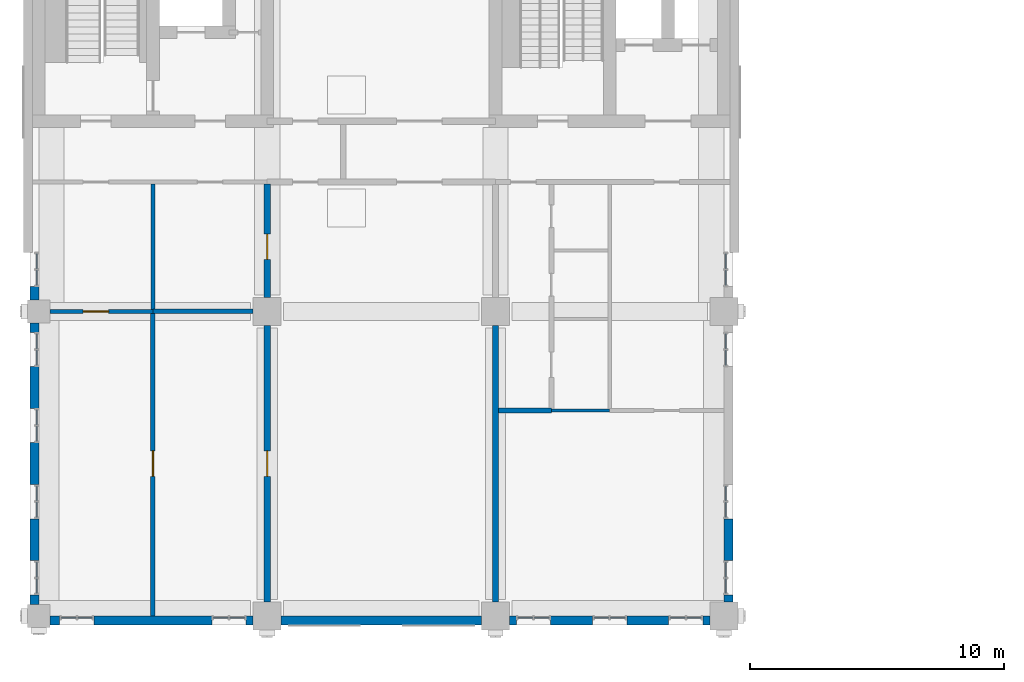
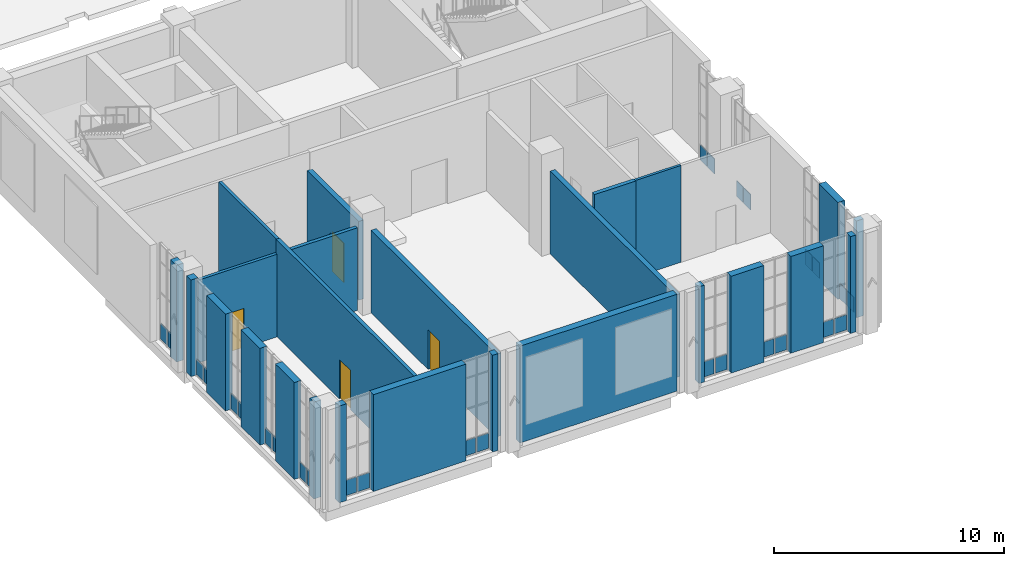
# One storey, part 18 of 33: 28 plates, 25 walls, 4 doors, 4 openings, 14 elements without a shape of their own.
"""IFC4 building model written with IfcOpenShell, lengths in metres."""

from ifc_helpers import new_model, si_unit, direction, frame, frame_2d, origin, origin_2d, place, context, subcontext, project, spatial, rectangle, extrude, material, layer, layer_set, type_object, element, fill, aggregate, save


model = new_model("IFC4")

# Units and contexts
model_context = context("Model", 3, precision=1e-05, world=origin(), true_north=direction((0.0, 1.0)))
body_context = subcontext(model_context, "Body", "Model", "MODEL_VIEW")
ifc_project = project(units=[si_unit("LENGTHUNIT", "METRE"), si_unit("AREAUNIT", "SQUARE_METRE"), si_unit("VOLUMEUNIT", "CUBIC_METRE"), si_unit("PLANEANGLEUNIT", "RADIAN"), si_unit("MASSUNIT", "GRAM", prefix="KILO")], contexts=[model_context])

# Site, building, storey
site_placement = place(None, origin())
site = spatial("IfcSite", under=ifc_project, at=site_placement, CompositionType="ELEMENT")
building_placement = place(site_placement, origin())
building = spatial("IfcBuilding", under=site, at=building_placement, Name="Aurelan Courthouse", CompositionType="ELEMENT")
storey_placement = place(building_placement, frame((0.0, 0.0, 22.800048828125)))
storey = spatial("IfcBuildingStorey", under=building, at=storey_placement, Name="L04", CompositionType="ELEMENT", Elevation=22.800048828125)

# Curtain wall, plates
ifc_material_1 = material(Name="Bronze-finished aluminium and glass", Category="aluminium")
ifc_layer_1 = layer(ifc_material_1, 0.14990234375)
ifc_layer_set_1 = layer_set([ifc_layer_1], Name="Bronze-finished aluminium and glass")
curtain_wall_type = type_object("IfcCurtainWallType", Name="Curtain wall 1350 x 5150", PredefinedType="NOTDEFINED", material=ifc_layer_set_1)
curtain_wall_1_placement = place(storey_placement, origin())
curtain_wall_1 = element("IfcCurtainWall", 1, at=curtain_wall_1_placement, inside=storey, type_object=curtain_wall_type, Name="Curtain wall CW-V5-L04-S01", PredefinedType="NOTDEFINED")
ifc_material_2 = material(Name="Bronze-finished aluminium", Category="aluminium")
ifc_layer_2 = layer(ifc_material_2, 0.0400390625)
ifc_layer_set_2 = layer_set([ifc_layer_2], Name="Bronze-finished aluminium")
plate_type = type_object("IfcPlateType", Name="Sill panel 40", PredefinedType="CURTAIN_PANEL", material=ifc_layer_set_2)
plate_1_placement = place(storey_placement, frame((1.177490234375, -0.074951171875, 0.059814453125), z_axis=(0.0, 0.0, 1.0), x_axis=(1.0, 0.0, 0.0)))
plate_1 = element("IfcPlate", 2, at=plate_1_placement, type_object=plate_type, Name="CW-V5-L04-S01 sill panel 1.1", PredefinedType="CURTAIN_PANEL", context=body_context, shape_type="SweptSolid", body=[
    extrude(rectangle(XDim=0.5849609375, YDim=0.0400390625, at=origin_2d()), origin(), (0.0, 0.0, 1.0), 0.81005859375),
])
plate_2_placement = place(storey_placement, frame((1.822509765625, -0.074951171875, 0.059814453125), z_axis=(0.0, 0.0, 1.0), x_axis=(1.0, 0.0, 0.0)))
plate_2 = element("IfcPlate", 3, at=plate_2_placement, type_object=plate_type, Name="CW-V5-L04-S01 sill panel 2.1", PredefinedType="CURTAIN_PANEL", context=body_context, shape_type="SweptSolid", body=[
    extrude(rectangle(XDim=0.5849609375, YDim=0.0400390625, at=origin_2d()), origin(), (0.0, 0.0, 1.0), 0.81005859375),
])
aggregate(curtain_wall_1, [plate_1, plate_2])

curtain_wall_2_placement = place(storey_placement, origin())
curtain_wall_2 = element("IfcCurtainWall", 4, at=curtain_wall_2_placement, inside=storey, type_object=curtain_wall_type, Name="Curtain wall CW-V5-L04-S02", PredefinedType="NOTDEFINED")
plate_3_placement = place(storey_placement, frame((7.177490234375, -0.074951171875, 0.059814453125), z_axis=(0.0, 0.0, 1.0), x_axis=(1.0, 0.0, 0.0)))
plate_3 = element("IfcPlate", 5, at=plate_3_placement, type_object=plate_type, Name="CW-V5-L04-S02 sill panel 1.1", PredefinedType="CURTAIN_PANEL", context=body_context, shape_type="SweptSolid", body=[
    extrude(rectangle(XDim=0.5849609375, YDim=0.0400390625, at=origin_2d()), origin(), (0.0, 0.0, 1.0), 0.81005859375),
])
plate_4_placement = place(storey_placement, frame((7.822509765625, -0.074951171875, 0.059814453125), z_axis=(0.0, 0.0, 1.0), x_axis=(1.0, 0.0, 0.0)))
plate_4 = element("IfcPlate", 6, at=plate_4_placement, type_object=plate_type, Name="CW-V5-L04-S02 sill panel 2.1", PredefinedType="CURTAIN_PANEL", context=body_context, shape_type="SweptSolid", body=[
    extrude(rectangle(XDim=0.5849609375, YDim=0.0400390625, at=origin_2d()), origin(), (0.0, 0.0, 1.0), 0.81005859375),
])
aggregate(curtain_wall_2, [plate_3, plate_4])

curtain_wall_3_placement = place(storey_placement, origin())
curtain_wall_3 = element("IfcCurtainWall", 7, at=curtain_wall_3_placement, inside=storey, type_object=curtain_wall_type, Name="Curtain wall CW-V5-L04-S03", PredefinedType="NOTDEFINED")
plate_5_placement = place(storey_placement, frame((19.177490234375, -0.074951171875, 0.059814453125), z_axis=(0.0, 0.0, 1.0), x_axis=(1.0, 0.0, 0.0)))
plate_5 = element("IfcPlate", 8, at=plate_5_placement, type_object=plate_type, Name="CW-V5-L04-S03 sill panel 1.1", PredefinedType="CURTAIN_PANEL", context=body_context, shape_type="SweptSolid", body=[
    extrude(rectangle(XDim=0.5849609375, YDim=0.0400390625, at=origin_2d()), origin(), (0.0, 0.0, 1.0), 0.81005859375),
])
plate_6_placement = place(storey_placement, frame((19.822509765625, -0.074951171875, 0.059814453125), z_axis=(0.0, 0.0, 1.0), x_axis=(1.0, 0.0, 0.0)))
plate_6 = element("IfcPlate", 9, at=plate_6_placement, type_object=plate_type, Name="CW-V5-L04-S03 sill panel 2.1", PredefinedType="CURTAIN_PANEL", context=body_context, shape_type="SweptSolid", body=[
    extrude(rectangle(XDim=0.5849609375, YDim=0.0400390625, at=origin_2d()), origin(), (0.0, 0.0, 1.0), 0.81005859375),
])
aggregate(curtain_wall_3, [plate_5, plate_6])

curtain_wall_4_placement = place(storey_placement, origin())
curtain_wall_4 = element("IfcCurtainWall", 10, at=curtain_wall_4_placement, inside=storey, type_object=curtain_wall_type, Name="Curtain wall CW-V5-L04-S04", PredefinedType="NOTDEFINED")
plate_7_placement = place(storey_placement, frame((22.177490234375, -0.074951171875, 0.059814453125), z_axis=(0.0, 0.0, 1.0), x_axis=(1.0, 0.0, 0.0)))
plate_7 = element("IfcPlate", 11, at=plate_7_placement, type_object=plate_type, Name="CW-V5-L04-S04 sill panel 1.1", PredefinedType="CURTAIN_PANEL", context=body_context, shape_type="SweptSolid", body=[
    extrude(rectangle(XDim=0.5849609375, YDim=0.0400390625, at=origin_2d()), origin(), (0.0, 0.0, 1.0), 0.81005859375),
])
plate_8_placement = place(storey_placement, frame((22.822509765625, -0.074951171875, 0.059814453125), z_axis=(0.0, 0.0, 1.0), x_axis=(1.0, 0.0, 0.0)))
plate_8 = element("IfcPlate", 12, at=plate_8_placement, type_object=plate_type, Name="CW-V5-L04-S04 sill panel 2.1", PredefinedType="CURTAIN_PANEL", context=body_context, shape_type="SweptSolid", body=[
    extrude(rectangle(XDim=0.5849609375, YDim=0.0400390625, at=origin_2d()), origin(), (0.0, 0.0, 1.0), 0.81005859375),
])
aggregate(curtain_wall_4, [plate_7, plate_8])

curtain_wall_5_placement = place(storey_placement, origin())
curtain_wall_5 = element("IfcCurtainWall", 13, at=curtain_wall_5_placement, inside=storey, type_object=curtain_wall_type, Name="Curtain wall CW-V5-L04-S05", PredefinedType="NOTDEFINED")
plate_9_placement = place(storey_placement, frame((25.177490234375, -0.074951171875, 0.059814453125), z_axis=(0.0, 0.0, 1.0), x_axis=(1.0, 0.0, 0.0)))
plate_9 = element("IfcPlate", 14, at=plate_9_placement, type_object=plate_type, Name="CW-V5-L04-S05 sill panel 1.1", PredefinedType="CURTAIN_PANEL", context=body_context, shape_type="SweptSolid", body=[
    extrude(rectangle(XDim=0.5849609375, YDim=0.0400390625, at=origin_2d()), origin(), (0.0, 0.0, 1.0), 0.81005859375),
])
plate_10_placement = place(storey_placement, frame((25.822509765625, -0.074951171875, 0.059814453125), z_axis=(0.0, 0.0, 1.0), x_axis=(1.0, 0.0, 0.0)))
plate_10 = element("IfcPlate", 15, at=plate_10_placement, type_object=plate_type, Name="CW-V5-L04-S05 sill panel 2.1", PredefinedType="CURTAIN_PANEL", context=body_context, shape_type="SweptSolid", body=[
    extrude(rectangle(XDim=0.5849609375, YDim=0.0400390625, at=origin_2d()), origin(), (0.0, 0.0, 1.0), 0.81005859375),
])
aggregate(curtain_wall_5, [plate_9, plate_10])

curtain_wall_6_placement = place(storey_placement, origin())
curtain_wall_6 = element("IfcCurtainWall", 16, at=curtain_wall_6_placement, inside=storey, type_object=curtain_wall_type, Name="Curtain wall CW-V5-L04-E01", PredefinedType="NOTDEFINED")
plate_11_placement = place(storey_placement, frame((27.074951171875, 1.177490234375, 0.059814453125), z_axis=(0.0, 0.0, 1.0), x_axis=(0.0, 1.0, 0.0)))
plate_11 = element("IfcPlate", 17, at=plate_11_placement, type_object=plate_type, Name="CW-V5-L04-E01 sill panel 1.1", PredefinedType="CURTAIN_PANEL", context=body_context, shape_type="SweptSolid", body=[
    extrude(rectangle(XDim=0.5849609375, YDim=0.0400390625, at=origin_2d()), origin(), (0.0, 0.0, 1.0), 0.81005859375),
])
plate_12_placement = place(storey_placement, frame((27.074951171875, 1.822509765625, 0.059814453125), z_axis=(0.0, 0.0, 1.0), x_axis=(0.0, 1.0, 0.0)))
plate_12 = element("IfcPlate", 18, at=plate_12_placement, type_object=plate_type, Name="CW-V5-L04-E01 sill panel 2.1", PredefinedType="CURTAIN_PANEL", context=body_context, shape_type="SweptSolid", body=[
    extrude(rectangle(XDim=0.5849609375, YDim=0.0400390625, at=origin_2d()), origin(), (0.0, 0.0, 1.0), 0.81005859375),
])
aggregate(curtain_wall_6, [plate_11, plate_12])

curtain_wall_7_placement = place(storey_placement, origin())
curtain_wall_7 = element("IfcCurtainWall", 19, at=curtain_wall_7_placement, inside=storey, type_object=curtain_wall_type, Name="Curtain wall CW-V5-L04-E02", PredefinedType="NOTDEFINED")
plate_13_placement = place(storey_placement, frame((27.074951171875, 4.177490234375, 0.059814453125), z_axis=(0.0, 0.0, 1.0), x_axis=(0.0, 1.0, 0.0)))
plate_13 = element("IfcPlate", 20, at=plate_13_placement, type_object=plate_type, Name="CW-V5-L04-E02 sill panel 1.1", PredefinedType="CURTAIN_PANEL", context=body_context, shape_type="SweptSolid", body=[
    extrude(rectangle(XDim=0.5849609375, YDim=0.0400390625, at=origin_2d()), origin(), (0.0, 0.0, 1.0), 0.81005859375),
])
plate_14_placement = place(storey_placement, frame((27.074951171875, 4.822509765625, 0.059814453125), z_axis=(0.0, 0.0, 1.0), x_axis=(0.0, 1.0, 0.0)))
plate_14 = element("IfcPlate", 21, at=plate_14_placement, type_object=plate_type, Name="CW-V5-L04-E02 sill panel 2.1", PredefinedType="CURTAIN_PANEL", context=body_context, shape_type="SweptSolid", body=[
    extrude(rectangle(XDim=0.5849609375, YDim=0.0400390625, at=origin_2d()), origin(), (0.0, 0.0, 1.0), 0.81005859375),
])
aggregate(curtain_wall_7, [plate_13, plate_14])

curtain_wall_8_placement = place(storey_placement, origin())
curtain_wall_8 = element("IfcCurtainWall", 22, at=curtain_wall_8_placement, inside=storey, type_object=curtain_wall_type, Name="Curtain wall CW-V5-L04-E03", PredefinedType="NOTDEFINED")
plate_15_placement = place(storey_placement, frame((27.074951171875, 10.177490234375, 0.059814453125), z_axis=(0.0, 0.0, 1.0), x_axis=(0.0, 1.0, 0.0)))
plate_15 = element("IfcPlate", 23, at=plate_15_placement, type_object=plate_type, Name="CW-V5-L04-E03 sill panel 1.1", PredefinedType="CURTAIN_PANEL", context=body_context, shape_type="SweptSolid", body=[
    extrude(rectangle(XDim=0.5849609375, YDim=0.0400390625, at=origin_2d()), origin(), (0.0, 0.0, 1.0), 0.81005859375),
])
plate_16_placement = place(storey_placement, frame((27.074951171875, 10.822509765625, 0.059814453125), z_axis=(0.0, 0.0, 1.0), x_axis=(0.0, 1.0, 0.0)))
plate_16 = element("IfcPlate", 24, at=plate_16_placement, type_object=plate_type, Name="CW-V5-L04-E03 sill panel 2.1", PredefinedType="CURTAIN_PANEL", context=body_context, shape_type="SweptSolid", body=[
    extrude(rectangle(XDim=0.5849609375, YDim=0.0400390625, at=origin_2d()), origin(), (0.0, 0.0, 1.0), 0.81005859375),
])
aggregate(curtain_wall_8, [plate_15, plate_16])

curtain_wall_9_placement = place(storey_placement, origin())
curtain_wall_9 = element("IfcCurtainWall", 25, at=curtain_wall_9_placement, inside=storey, type_object=curtain_wall_type, Name="Curtain wall CW-V5-L04-E04", PredefinedType="NOTDEFINED")
plate_17_placement = place(storey_placement, frame((27.074951171875, 13.327392578125, 0.059814453125), z_axis=(0.0, 0.0, 1.0), x_axis=(0.0, 1.0, 0.0)))
plate_17 = element("IfcPlate", 26, at=plate_17_placement, type_object=plate_type, Name="CW-V5-L04-E04 sill panel 1.1", PredefinedType="CURTAIN_PANEL", context=body_context, shape_type="SweptSolid", body=[
    extrude(rectangle(XDim=0.5849609375, YDim=0.0400390625, at=origin_2d()), origin(), (0.0, 0.0, 1.0), 0.81005859375),
])
plate_18_placement = place(storey_placement, frame((27.074951171875, 13.972412109375, 0.059814453125), z_axis=(0.0, 0.0, 1.0), x_axis=(0.0, 1.0, 0.0)))
plate_18 = element("IfcPlate", 27, at=plate_18_placement, type_object=plate_type, Name="CW-V5-L04-E04 sill panel 2.1", PredefinedType="CURTAIN_PANEL", context=body_context, shape_type="SweptSolid", body=[
    extrude(rectangle(XDim=0.5849609375, YDim=0.0400390625, at=origin_2d()), origin(), (0.0, 0.0, 1.0), 0.81005859375),
])
aggregate(curtain_wall_9, [plate_17, plate_18])

curtain_wall_10_placement = place(storey_placement, origin())
curtain_wall_10 = element("IfcCurtainWall", 28, at=curtain_wall_10_placement, inside=storey, type_object=curtain_wall_type, Name="Curtain wall CW-V5-L04-W01", PredefinedType="NOTDEFINED")
plate_19_placement = place(storey_placement, frame((-0.074951171875, 1.177490234375, 0.059814453125), z_axis=(0.0, 0.0, 1.0), x_axis=(0.0, 1.0, 0.0)))
plate_19 = element("IfcPlate", 29, at=plate_19_placement, type_object=plate_type, Name="CW-V5-L04-W01 sill panel 1.1", PredefinedType="CURTAIN_PANEL", context=body_context, shape_type="SweptSolid", body=[
    extrude(rectangle(XDim=0.5849609375, YDim=0.0400390625, at=origin_2d()), origin(), (0.0, 0.0, 1.0), 0.81005859375),
])
plate_20_placement = place(storey_placement, frame((-0.074951171875, 1.822509765625, 0.059814453125), z_axis=(0.0, 0.0, 1.0), x_axis=(0.0, 1.0, 0.0)))
plate_20 = element("IfcPlate", 30, at=plate_20_placement, type_object=plate_type, Name="CW-V5-L04-W01 sill panel 2.1", PredefinedType="CURTAIN_PANEL", context=body_context, shape_type="SweptSolid", body=[
    extrude(rectangle(XDim=0.5849609375, YDim=0.0400390625, at=origin_2d()), origin(), (0.0, 0.0, 1.0), 0.81005859375),
])
aggregate(curtain_wall_10, [plate_19, plate_20])

curtain_wall_11_placement = place(storey_placement, origin())
curtain_wall_11 = element("IfcCurtainWall", 31, at=curtain_wall_11_placement, inside=storey, type_object=curtain_wall_type, Name="Curtain wall CW-V5-L04-W02", PredefinedType="NOTDEFINED")
plate_21_placement = place(storey_placement, frame((-0.074951171875, 4.177490234375, 0.059814453125), z_axis=(0.0, 0.0, 1.0), x_axis=(0.0, 1.0, 0.0)))
plate_21 = element("IfcPlate", 32, at=plate_21_placement, type_object=plate_type, Name="CW-V5-L04-W02 sill panel 1.1", PredefinedType="CURTAIN_PANEL", context=body_context, shape_type="SweptSolid", body=[
    extrude(rectangle(XDim=0.5849609375, YDim=0.0400390625, at=origin_2d()), origin(), (0.0, 0.0, 1.0), 0.81005859375),
])
plate_22_placement = place(storey_placement, frame((-0.074951171875, 4.822509765625, 0.059814453125), z_axis=(0.0, 0.0, 1.0), x_axis=(0.0, 1.0, 0.0)))
plate_22 = element("IfcPlate", 33, at=plate_22_placement, type_object=plate_type, Name="CW-V5-L04-W02 sill panel 2.1", PredefinedType="CURTAIN_PANEL", context=body_context, shape_type="SweptSolid", body=[
    extrude(rectangle(XDim=0.5849609375, YDim=0.0400390625, at=origin_2d()), origin(), (0.0, 0.0, 1.0), 0.81005859375),
])
aggregate(curtain_wall_11, [plate_21, plate_22])

curtain_wall_12_placement = place(storey_placement, origin())
curtain_wall_12 = element("IfcCurtainWall", 34, at=curtain_wall_12_placement, inside=storey, type_object=curtain_wall_type, Name="Curtain wall CW-V5-L04-W03", PredefinedType="NOTDEFINED")
plate_23_placement = place(storey_placement, frame((-0.074951171875, 7.177490234375, 0.059814453125), z_axis=(0.0, 0.0, 1.0), x_axis=(0.0, 1.0, 0.0)))
plate_23 = element("IfcPlate", 35, at=plate_23_placement, type_object=plate_type, Name="CW-V5-L04-W03 sill panel 1.1", PredefinedType="CURTAIN_PANEL", context=body_context, shape_type="SweptSolid", body=[
    extrude(rectangle(XDim=0.5849609375, YDim=0.0400390625, at=origin_2d()), origin(), (0.0, 0.0, 1.0), 0.81005859375),
])
plate_24_placement = place(storey_placement, frame((-0.074951171875, 7.822509765625, 0.059814453125), z_axis=(0.0, 0.0, 1.0), x_axis=(0.0, 1.0, 0.0)))
plate_24 = element("IfcPlate", 36, at=plate_24_placement, type_object=plate_type, Name="CW-V5-L04-W03 sill panel 2.1", PredefinedType="CURTAIN_PANEL", context=body_context, shape_type="SweptSolid", body=[
    extrude(rectangle(XDim=0.5849609375, YDim=0.0400390625, at=origin_2d()), origin(), (0.0, 0.0, 1.0), 0.81005859375),
])
aggregate(curtain_wall_12, [plate_23, plate_24])

curtain_wall_13_placement = place(storey_placement, origin())
curtain_wall_13 = element("IfcCurtainWall", 37, at=curtain_wall_13_placement, inside=storey, type_object=curtain_wall_type, Name="Curtain wall CW-V5-L04-W04", PredefinedType="NOTDEFINED")
plate_25_placement = place(storey_placement, frame((-0.074951171875, 10.177490234375, 0.059814453125), z_axis=(0.0, 0.0, 1.0), x_axis=(0.0, 1.0, 0.0)))
plate_25 = element("IfcPlate", 38, at=plate_25_placement, type_object=plate_type, Name="CW-V5-L04-W04 sill panel 1.1", PredefinedType="CURTAIN_PANEL", context=body_context, shape_type="SweptSolid", body=[
    extrude(rectangle(XDim=0.5849609375, YDim=0.0400390625, at=origin_2d()), origin(), (0.0, 0.0, 1.0), 0.81005859375),
])
plate_26_placement = place(storey_placement, frame((-0.074951171875, 10.822509765625, 0.059814453125), z_axis=(0.0, 0.0, 1.0), x_axis=(0.0, 1.0, 0.0)))
plate_26 = element("IfcPlate", 39, at=plate_26_placement, type_object=plate_type, Name="CW-V5-L04-W04 sill panel 2.1", PredefinedType="CURTAIN_PANEL", context=body_context, shape_type="SweptSolid", body=[
    extrude(rectangle(XDim=0.5849609375, YDim=0.0400390625, at=origin_2d()), origin(), (0.0, 0.0, 1.0), 0.81005859375),
])
aggregate(curtain_wall_13, [plate_25, plate_26])

curtain_wall_14_placement = place(storey_placement, origin())
curtain_wall_14 = element("IfcCurtainWall", 40, at=curtain_wall_14_placement, inside=storey, type_object=curtain_wall_type, Name="Curtain wall CW-V5-L04-W05", PredefinedType="NOTDEFINED")
plate_27_placement = place(storey_placement, frame((-0.074951171875, 13.327392578125, 0.059814453125), z_axis=(0.0, 0.0, 1.0), x_axis=(0.0, 1.0, 0.0)))
plate_27 = element("IfcPlate", 41, at=plate_27_placement, type_object=plate_type, Name="CW-V5-L04-W05 sill panel 1.1", PredefinedType="CURTAIN_PANEL", context=body_context, shape_type="SweptSolid", body=[
    extrude(rectangle(XDim=0.5849609375, YDim=0.0400390625, at=origin_2d()), origin(), (0.0, 0.0, 1.0), 0.81005859375),
])
plate_28_placement = place(storey_placement, frame((-0.074951171875, 13.972412109375, 0.059814453125), z_axis=(0.0, 0.0, 1.0), x_axis=(0.0, 1.0, 0.0)))
plate_28 = element("IfcPlate", 42, at=plate_28_placement, type_object=plate_type, Name="CW-V5-L04-W05 sill panel 2.1", PredefinedType="CURTAIN_PANEL", context=body_context, shape_type="SweptSolid", body=[
    extrude(rectangle(XDim=0.5849609375, YDim=0.0400390625, at=origin_2d()), origin(), (0.0, 0.0, 1.0), 0.81005859375),
])
aggregate(curtain_wall_14, [plate_27, plate_28])

# Wall
ifc_material_3 = material(Name="Gypsum board on metal studs")
ifc_layer_3 = layer(ifc_material_3, 0.175048828125)
ifc_layer_set_3 = layer_set([ifc_layer_3], Name="Gypsum board on metal studs")
wall_type_1 = type_object("IfcWallType", Name="Chambers acoustic partition 175 NOT RATED", PredefinedType="PARTITIONING", material=ifc_layer_set_3)
wall_1_placement = place(storey_placement, frame((4.5, 12.0, 0.0), z_axis=(0.0, 0.0, 1.0), x_axis=(1.0, 0.0, 0.0)))
element("IfcWall", 43, at=wall_1_placement, inside=storey, type_object=wall_type_1, Name="Chambers acoustic partition L04-006", PredefinedType="PARTITIONING", context=body_context, shape_type="SweptSolid", body=[
    extrude(rectangle(XDim=3.949951171875, YDim=0.175048828125, at=frame_2d((1.97509765625, 0.0))), origin(), (0.0, 0.0, 1.0), 4.39990234375),
])

# Wall, opening, door
wall_2_placement = place(storey_placement, frame((4.5, 0.0, 0.0), z_axis=(0.0, 0.0, 1.0), x_axis=(0.0, 1.0, 0.0)))
wall_2 = element("IfcWall", 44, at=wall_2_placement, inside=storey, type_object=wall_type_1, Name="Chambers acoustic partition L04-041", PredefinedType="PARTITIONING", context=body_context, shape_type="SweptSolid", body=[
    extrude(rectangle(XDim=12.0, YDim=0.175048828125, at=frame_2d((6.0, 0.0))), origin(), (0.0, 0.0, 1.0), 5.14990234375),
])
opening_1_placement = place(wall_2_placement, frame((5.5, 0.0, 0.0)))
opening_1 = element("IfcOpeningElement", 45, at=opening_1_placement, cuts=wall_2, Name="Opening D-L04-065", PredefinedType="OPENING", context=body_context, shape_type="SweptSolid", body=[
    extrude(rectangle(XDim=1.0, YDim=2.10009765625, at=frame_2d((0.5, 1.050048828125))), frame((0.0, 0.097412109375, 0.0), z_axis=(0.0, -1.0, 0.0), x_axis=(1.0, 0.0, 0.0)), (0.0, 0.0, 1.0), 0.195068359375),
])
ifc_material_4 = material(Name="Timber", Category="wood")
door_type_1 = type_object("IfcDoorType", Name="Single door 1000 x 2100 NOT RATED", OperationType="SINGLE_SWING_LEFT", PredefinedType="DOOR", material=ifc_material_4)
door_1_placement = place(opening_1_placement, origin())
door_1 = element("IfcDoor", 46, at=door_1_placement, inside=storey, type_object=door_type_1, Name="Single door D-L04-065", OperationType="SINGLE_SWING_RIGHT", OverallHeight=2.10009765625, OverallWidth=1.0, PredefinedType="DOOR", context=body_context, shape_type="SweptSolid", body=[
    extrude(rectangle(XDim=1.0, YDim=2.10009765625, at=frame_2d((0.5, 1.050048828125))), frame((0.0, 0.02490234375, 0.0), z_axis=(0.0, -1.0, 0.0), x_axis=(1.0, 0.0, 0.0)), (0.0, 0.0, 1.0), 0.050048828125),
])
fill(opening_1, door_1)

ifc_material_5 = material(Name="Masonry block", Category="masonry")
ifc_layer_4 = layer(ifc_material_5, 0.25)
ifc_layer_set_4 = layer_set([ifc_layer_4], Name="Masonry block")
wall_type_2 = type_object("IfcWallType", Name="Courtroom wall 250 EI 60", PredefinedType="PARTITIONING", material=ifc_layer_set_4)
wall_3_placement = place(storey_placement, frame((9.0, 0.550048828125, 0.0), z_axis=(0.0, 0.0, 1.0), x_axis=(0.0, 1.0, 0.0)))
wall_3 = element("IfcWall", 47, at=wall_3_placement, inside=storey, type_object=wall_type_2, Name="Courtroom wall L04-043", PredefinedType="PARTITIONING", context=body_context, shape_type="SweptSolid", body=[
    extrude(rectangle(XDim=10.89990234375, YDim=0.25, at=frame_2d((5.449951171875, 0.0))), origin(), (0.0, 0.0, 1.0), 4.39990234375),
])
opening_2_placement = place(wall_3_placement, frame((5.949951171875, 0.0, 0.0), z_axis=(0.0, 0.0, 1.0), x_axis=(-1.0, 0.0, 0.0)))
opening_2 = element("IfcOpeningElement", 48, at=opening_2_placement, cuts=wall_3, Name="Opening D-L04-066", PredefinedType="OPENING", context=body_context, shape_type="SweptSolid", body=[
    extrude(rectangle(XDim=1.0, YDim=2.10009765625, at=frame_2d((0.5, 1.050048828125))), frame((0.0, 0.135009765625, 0.0), z_axis=(0.0, -1.0, 0.0), x_axis=(1.0, 0.0, 0.0)), (0.0, 0.0, 1.0), 0.27001953125),
])
ifc_material_6 = material(Name="Steel", Category="steel")
door_type_2 = type_object("IfcDoorType", Name="Single door 1000 x 2100 FD30", OperationType="SINGLE_SWING_LEFT", PredefinedType="DOOR", material=ifc_material_6)
door_2_placement = place(opening_2_placement, origin())
door_2 = element("IfcDoor", 49, at=door_2_placement, inside=storey, type_object=door_type_2, Name="Single door D-L04-066", OperationType="SINGLE_SWING_RIGHT", OverallHeight=2.10009765625, OverallWidth=1.0, PredefinedType="DOOR", context=body_context, shape_type="SweptSolid", body=[
    extrude(rectangle(XDim=1.0, YDim=2.10009765625, at=frame_2d((0.5, 1.050048828125))), frame((0.0, 0.02490234375, 0.0), z_axis=(0.0, -1.0, 0.0), x_axis=(1.0, 0.0, 0.0)), (0.0, 0.0, 1.0), 0.050048828125),
])
fill(opening_2, door_2)

wall_4_placement = place(storey_placement, frame((9.0, 12.550048828125, 0.0), z_axis=(0.0, 0.0, 1.0), x_axis=(0.0, 1.0, 0.0)))
wall_4 = element("IfcWall", 50, at=wall_4_placement, inside=storey, type_object=wall_type_2, Name="Courtroom wall L04-044", PredefinedType="PARTITIONING", context=body_context, shape_type="SweptSolid", body=[
    extrude(rectangle(XDim=4.474853515625, YDim=0.25, at=frame_2d((2.2373046875, 0.0))), origin(), (0.0, 0.0, 1.0), 4.199951171875),
])
opening_3_placement = place(wall_4_placement, frame((2.5, 0.0, 0.0), z_axis=(0.0, 0.0, 1.0), x_axis=(-1.0, 0.0, 0.0)))
opening_3 = element("IfcOpeningElement", 51, at=opening_3_placement, cuts=wall_4, Name="Opening D-L04-063", PredefinedType="OPENING", context=body_context, shape_type="SweptSolid", body=[
    extrude(rectangle(XDim=1.0, YDim=2.10009765625, at=frame_2d((0.5, 1.050048828125))), frame((0.0, 0.135009765625, 0.0), z_axis=(0.0, -1.0, 0.0), x_axis=(1.0, 0.0, 0.0)), (0.0, 0.0, 1.0), 0.27001953125),
])
door_3_placement = place(opening_3_placement, origin())
door_3 = element("IfcDoor", 52, at=door_3_placement, inside=storey, type_object=door_type_2, Name="Single door D-L04-063", OperationType="SINGLE_SWING_LEFT", OverallHeight=2.10009765625, OverallWidth=1.0, PredefinedType="DOOR", context=body_context, shape_type="SweptSolid", body=[
    extrude(rectangle(XDim=1.0, YDim=2.10009765625, at=frame_2d((0.5, 1.050048828125))), frame((0.0, 0.02490234375, 0.0), z_axis=(0.0, -1.0, 0.0), x_axis=(1.0, 0.0, 0.0)), (0.0, 0.0, 1.0), 0.050048828125),
])
fill(opening_3, door_3)

# Walls
wall_5_placement = place(storey_placement, frame((18.0, 0.550048828125, 0.0), z_axis=(0.0, 0.0, 1.0), x_axis=(0.0, 1.0, 0.0)))
element("IfcWall", 53, at=wall_5_placement, inside=storey, type_object=wall_type_2, Name="Courtroom wall L04-046", PredefinedType="PARTITIONING", context=body_context, shape_type="SweptSolid", body=[
    extrude(rectangle(XDim=10.89990234375, YDim=0.25, at=frame_2d((5.449951171875, 0.0))), origin(), (0.0, 0.0, 1.0), 4.39990234375),
])
ifc_material_7 = material(Name="Limestone cladding", Category="masonry")
ifc_layer_5 = layer(ifc_material_7, 0.10009765625, Name="Facing")
ifc_material_8 = material(Name="Ventilated cavity")
ifc_layer_6 = layer(ifc_material_8, 0.02490234375, ventilated=True, Name="Ventilated cavity")
ifc_material_9 = material(Name="Mineral wool insulation")
ifc_layer_7 = layer(ifc_material_9, 0.050048828125, Name="Insulation")
ifc_material_10 = material(Name="Concrete C30", Category="concrete")
ifc_layer_8 = layer(ifc_material_10, 0.175048828125, Name="Structure")
ifc_layer_set_5 = layer_set([ifc_layer_5, ifc_layer_6, ifc_layer_7, ifc_layer_8], Name="Concrete C30")
wall_type_3 = type_object("IfcWallType", Name="Courts' Floors stone-faced wall 350", PredefinedType="SOLIDWALL", material=ifc_layer_set_5)
wall_6_placement = place(storey_placement, frame((0.449951171875, -0.175048828125, 0.0), z_axis=(0.0, 0.0, 1.0), x_axis=(1.0, 0.0, 0.0)))
element("IfcWall", 54, at=wall_6_placement, inside=storey, type_object=wall_type_3, Name="Facade wall FW-V5-L04-001", PredefinedType="SOLIDWALL", context=body_context, shape_type="SweptSolid", body=[
    extrude(rectangle(XDim=0.375, YDim=0.35009765625, at=frame_2d((0.1875, 0.0))), origin(), (0.0, 0.0, 1.0), 5.14990234375),
])
wall_7_placement = place(storey_placement, frame((2.175048828125, -0.175048828125, 0.0), z_axis=(0.0, 0.0, 1.0), x_axis=(1.0, 0.0, 0.0)))
element("IfcWall", 55, at=wall_7_placement, inside=storey, type_object=wall_type_3, Name="Facade wall FW-V5-L04-002", PredefinedType="SOLIDWALL", context=body_context, shape_type="SweptSolid", body=[
    extrude(rectangle(XDim=4.64990234375, YDim=0.35009765625, at=frame_2d((2.324951171875, 0.0))), origin(), (0.0, 0.0, 1.0), 5.14990234375),
])
wall_8_placement = place(storey_placement, frame((8.175048828125, -0.175048828125, 0.0), z_axis=(0.0, 0.0, 1.0), x_axis=(1.0, 0.0, 0.0)))
element("IfcWall", 56, at=wall_8_placement, inside=storey, type_object=wall_type_3, Name="Facade wall FW-V5-L04-003", PredefinedType="SOLIDWALL", context=body_context, shape_type="SweptSolid", body=[
    extrude(rectangle(XDim=0.27490234375, YDim=0.35009765625, at=frame_2d((0.137451171875, 0.0))), origin(), (0.0, 0.0, 1.0), 5.14990234375),
])
wall_9_placement = place(storey_placement, frame((9.550048828125, -0.175048828125, 0.0), z_axis=(0.0, 0.0, 1.0), x_axis=(1.0, 0.0, 0.0)))
element("IfcWall", 57, at=wall_9_placement, inside=storey, type_object=wall_type_3, Name="Facade wall FW-V5-L04-004", PredefinedType="SOLIDWALL", context=body_context, shape_type="SweptSolid", body=[
    extrude(rectangle(XDim=7.89990234375, YDim=0.35009765625, at=frame_2d((3.949951171875, 0.0))), origin(), (0.0, 0.0, 1.0), 5.14990234375),
])
wall_10_placement = place(storey_placement, frame((18.550048828125, -0.175048828125, 0.0), z_axis=(0.0, 0.0, 1.0), x_axis=(1.0, 0.0, 0.0)))
element("IfcWall", 58, at=wall_10_placement, inside=storey, type_object=wall_type_3, Name="Facade wall FW-V5-L04-005", PredefinedType="SOLIDWALL", context=body_context, shape_type="SweptSolid", body=[
    extrude(rectangle(XDim=0.27490234375, YDim=0.35009765625, at=frame_2d((0.137451171875, 0.0))), origin(), (0.0, 0.0, 1.0), 5.14990234375),
])
for number, where, z_axis, x_axis, name in (
    (59, (20.175048828125, -0.175048828125, 0.0), (0.0, 0.0, 1.0), (1.0, 0.0, 0.0), "Facade wall FW-V5-L04-006"),
    (60, (23.175048828125, -0.175048828125, 0.0), (0.0, 0.0, 1.0), (1.0, 0.0, 0.0), "Facade wall FW-V5-L04-007"),
):
    element("IfcWall", number, at=place(storey_placement, frame(where, z_axis=z_axis, x_axis=x_axis)), inside=storey, type_object=wall_type_3, Name=name, PredefinedType="SOLIDWALL", context=body_context, shape_type="SweptSolid", body=[
        extrude(rectangle(XDim=1.64990234375, YDim=0.35009765625, at=frame_2d((0.824951171875, 0.0))), origin(), (0.0, 0.0, 1.0), 5.14990234375),
    ])
for number, where, z_axis, x_axis, name in (
    (61, (26.175048828125, -0.175048828125, 0.0), (0.0, 0.0, 1.0), (1.0, 0.0, 0.0), "Facade wall FW-V5-L04-008"),
    (62, (27.175048828125, 0.550048828125, 0.0), (0.0, 0.0, 1.0), (0.0, 1.0, 0.0), "Facade wall FW-V5-L04-012"),
):
    element("IfcWall", number, at=place(storey_placement, frame(where, z_axis=z_axis, x_axis=x_axis)), inside=storey, type_object=wall_type_3, Name=name, PredefinedType="SOLIDWALL", context=body_context, shape_type="SweptSolid", body=[
        extrude(rectangle(XDim=0.27490234375, YDim=0.35009765625, at=frame_2d((0.137451171875, 0.0))), origin(), (0.0, 0.0, 1.0), 5.14990234375),
    ])
wall_11_placement = place(storey_placement, frame((27.175048828125, 2.175048828125, 0.0), z_axis=(0.0, 0.0, 1.0), x_axis=(0.0, 1.0, 0.0)))
element("IfcWall", 63, at=wall_11_placement, inside=storey, type_object=wall_type_3, Name="Facade wall FW-V5-L04-013", PredefinedType="SOLIDWALL", context=body_context, shape_type="SweptSolid", body=[
    extrude(rectangle(XDim=1.64990234375, YDim=0.35009765625, at=frame_2d((0.824951171875, 0.0))), origin(), (0.0, 0.0, 1.0), 5.14990234375),
])
wall_12_placement = place(storey_placement, frame((-0.175048828125, 0.449951171875, 0.0), z_axis=(0.0, 0.0, 1.0), x_axis=(0.0, 1.0, 0.0)))
element("IfcWall", 64, at=wall_12_placement, inside=storey, type_object=wall_type_3, Name="Facade wall FW-V5-L04-018", PredefinedType="SOLIDWALL", context=body_context, shape_type="SweptSolid", body=[
    extrude(rectangle(XDim=0.375, YDim=0.35009765625, at=frame_2d((0.1875, 0.0))), origin(), (0.0, 0.0, 1.0), 5.14990234375),
])
for number, where, z_axis, x_axis, name in (
    (65, (-0.175048828125, 2.175048828125, 0.0), (0.0, 0.0, 1.0), (0.0, 1.0, 0.0), "Facade wall FW-V5-L04-019"),
    (66, (-0.175048828125, 5.175048828125, 0.0), (0.0, 0.0, 1.0), (0.0, 1.0, 0.0), "Facade wall FW-V5-L04-020"),
    (67, (-0.175048828125, 8.175048828125, 0.0), (0.0, 0.0, 1.0), (0.0, 1.0, 0.0), "Facade wall FW-V5-L04-021"),
):
    element("IfcWall", number, at=place(storey_placement, frame(where, z_axis=z_axis, x_axis=x_axis)), inside=storey, type_object=wall_type_3, Name=name, PredefinedType="SOLIDWALL", context=body_context, shape_type="SweptSolid", body=[
        extrude(rectangle(XDim=1.64990234375, YDim=0.35009765625, at=frame_2d((0.824951171875, 0.0))), origin(), (0.0, 0.0, 1.0), 5.14990234375),
    ])
wall_13_placement = place(storey_placement, frame((-0.175048828125, 11.175048828125, 0.0), z_axis=(0.0, 0.0, 1.0), x_axis=(0.0, 1.0, 0.0)))
element("IfcWall", 68, at=wall_13_placement, inside=storey, type_object=wall_type_3, Name="Facade wall FW-V5-L04-022", PredefinedType="SOLIDWALL", context=body_context, shape_type="SweptSolid", body=[
    extrude(rectangle(XDim=0.375, YDim=0.35009765625, at=frame_2d((0.1875, 0.0))), origin(), (0.0, 0.0, 1.0), 5.14990234375),
])
wall_14_placement = place(storey_placement, frame((-0.175048828125, 12.449951171875, 0.0), z_axis=(0.0, 0.0, 1.0), x_axis=(0.0, 1.0, 0.0)))
element("IfcWall", 69, at=wall_14_placement, inside=storey, type_object=wall_type_3, Name="Facade wall FW-V5-L04-023", PredefinedType="SOLIDWALL", context=body_context, shape_type="SweptSolid", body=[
    extrude(rectangle(XDim=0.525146484375, YDim=0.35009765625, at=frame_2d((0.2626953125, 0.0))), origin(), (0.0, 0.0, 1.0), 5.14990234375),
])
ifc_layer_9 = layer(ifc_material_5, 0.199951171875)
ifc_layer_set_6 = layer_set([ifc_layer_9], Name="Masonry block")
wall_type_4 = type_object("IfcWallType", Name="Lift lobby wall 200 EI 60", PredefinedType="PARTITIONING", material=ifc_layer_set_6)
wall_15_placement = place(storey_placement, frame((18.125, 8.10009765625, 0.0), z_axis=(0.0, 0.0, 1.0), x_axis=(1.0, 0.0, 0.0)))
element("IfcWall", 70, at=wall_15_placement, inside=storey, type_object=wall_type_4, Name="Lift lobby wall L04-001", PredefinedType="PARTITIONING", context=body_context, shape_type="SweptSolid", body=[
    extrude(rectangle(XDim=2.074951171875, YDim=0.199951171875, at=frame_2d((1.03759765625, 0.0))), origin(), (0.0, 0.0, 1.0), 5.14990234375),
])

# Wall, opening, door
ifc_layer_10 = layer(ifc_material_3, 0.14990234375)
ifc_layer_set_7 = layer_set([ifc_layer_10], Name="Gypsum board on metal studs")
wall_type_5 = type_object("IfcWallType", Name="Partition 150 NOT RATED", PredefinedType="PARTITIONING", material=ifc_layer_set_7)
wall_16_placement = place(storey_placement, frame((0.449951171875, 12.0, 0.0), z_axis=(0.0, 0.0, 1.0), x_axis=(1.0, 0.0, 0.0)))
wall_16 = element("IfcWall", 71, at=wall_16_placement, inside=storey, type_object=wall_type_5, Name="Partition L04-005", PredefinedType="PARTITIONING", context=body_context, shape_type="SweptSolid", body=[
    extrude(rectangle(XDim=4.050048828125, YDim=0.14990234375, at=frame_2d((2.02490234375, 0.0))), origin(), (0.0, 0.0, 1.0), 4.39990234375),
])
opening_4_placement = place(wall_16_placement, frame((2.300048828125, 0.0, 0.0), z_axis=(0.0, 0.0, 1.0), x_axis=(-1.0, 0.0, 0.0)))
opening_4 = element("IfcOpeningElement", 72, at=opening_4_placement, cuts=wall_16, Name="Opening D-L04-064", PredefinedType="OPENING", context=body_context, shape_type="SweptSolid", body=[
    extrude(rectangle(XDim=1.0, YDim=2.10009765625, at=frame_2d((0.5, 1.050048828125))), frame((0.0, 0.0849609375, 0.0), z_axis=(0.0, -1.0, 0.0), x_axis=(1.0, 0.0, 0.0)), (0.0, 0.0, 1.0), 0.169921875),
])
door_4_placement = place(opening_4_placement, origin())
door_4 = element("IfcDoor", 73, at=door_4_placement, inside=storey, type_object=door_type_1, Name="Single door D-L04-064", OperationType="SINGLE_SWING_LEFT", OverallHeight=2.10009765625, OverallWidth=1.0, PredefinedType="DOOR", context=body_context, shape_type="SweptSolid", body=[
    extrude(rectangle(XDim=1.0, YDim=2.10009765625, at=frame_2d((0.5, 1.050048828125))), frame((0.0, 0.02490234375, 0.0), z_axis=(0.0, -1.0, 0.0), x_axis=(1.0, 0.0, 0.0)), (0.0, 0.0, 1.0), 0.050048828125),
])
fill(opening_4, door_4)

# Walls
wall_17_placement = place(storey_placement, frame((4.5, 12.0, 0.0), z_axis=(0.0, 0.0, 1.0), x_axis=(0.0, 1.0, 0.0)))
element("IfcWall", 74, at=wall_17_placement, inside=storey, type_object=wall_type_5, Name="Partition L04-042", PredefinedType="PARTITIONING", context=body_context, shape_type="SweptSolid", body=[
    extrude(rectangle(XDim=5.02490234375, YDim=0.14990234375, at=frame_2d((2.512451171875, 0.0))), origin(), (0.0, 0.0, 1.0), 5.14990234375),
])
ifc_material_11 = material(Name="Moisture-resistant board on metal studs")
ifc_layer_11 = layer(ifc_material_11, 0.125)
ifc_layer_set_8 = layer_set([ifc_layer_11], Name="Moisture-resistant board on metal studs")
wall_type_6 = type_object("IfcWallType", Name="Wet-area partition 125 NOT RATED", PredefinedType="PARTITIONING", material=ifc_layer_set_8)
wall_18_placement = place(storey_placement, frame((20.199951171875, 8.10009765625, 0.0), z_axis=(0.0, 0.0, 1.0), x_axis=(1.0, 0.0, 0.0)))
element("IfcWall", 75, at=wall_18_placement, inside=storey, type_object=wall_type_6, Name="Wet-area partition L04-002", PredefinedType="PARTITIONING", context=body_context, shape_type="SweptSolid", body=[
    extrude(rectangle(XDim=2.300048828125, YDim=0.125, at=frame_2d((1.14990234375, 0.0))), origin(), (0.0, 0.0, 1.0), 5.14990234375),
])

save(model, "model.ifc")
